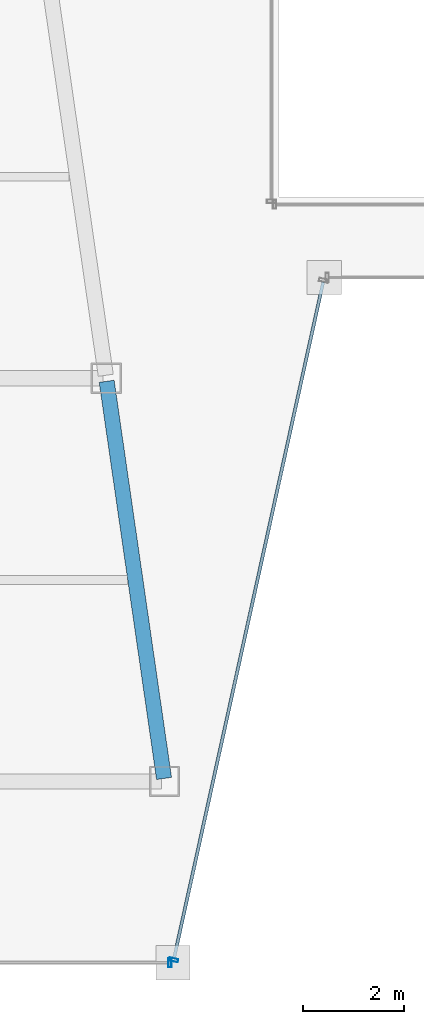
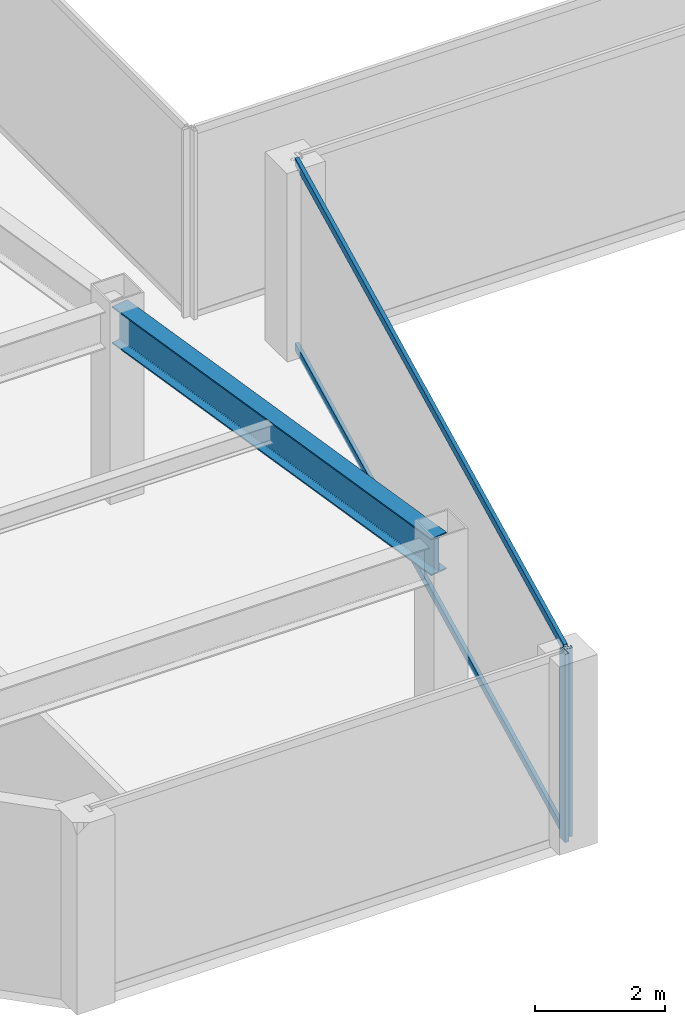
# One storey, part 5 of 35: 4 members, 1 beam, 2 elements without a shape of their own.
"""IFC4 building model written with IfcOpenShell, lengths in metres."""

import ifcopenshell
import ifcopenshell.guid

model = None  # the IFC model being written
_history = None  # IfcOwnerHistory: only IFC2X3 demands one
_inside = {}  # id of a spatial element -> (the spatial element, [elements in it])
_under = {}  # id of a project, library or spatial element -> (it, [spatial elements below it])
_declared = {}  # id of a project -> (the project, [libraries it declares])
_typed = {}  # id of a type object -> (the type object, [elements of that type])
_made_of = {}  # id of a material, layer set ... -> (it, [elements and type objects made of it])


def new_model(schema):
    """Start an empty IFC model of exactly this schema.

    Asked for "IFC4X3", IfcOpenShell would pick the latest addendum, in which some entities
    have other attributes; the version numbers below select the first issue.
    IFC2X3 requires an IfcOwnerHistory on every rooted entity: one is made here for all.
    """
    global model, _history
    if schema == "IFC4X3":
        model = ifcopenshell.file(schema_version=(4, 3, 0, 0))
    else:
        model = ifcopenshell.file(schema=schema)
    _inside.clear()
    _under.clear()
    _declared.clear()
    _typed.clear()
    _made_of.clear()
    _history = None
    if model.schema == "IFC2X3":
        org = make("IfcOrganization", Name="unknown")
        user = make(
            "IfcPersonAndOrganization",
            ThePerson=make("IfcPerson", FamilyName="unknown"),
            TheOrganization=org,
        )
        app = make(
            "IfcApplication",
            ApplicationDeveloper=org,
            Version="unknown",
            ApplicationFullName="unknown",
            ApplicationIdentifier="unknown",
        )
        _history = make(
            "IfcOwnerHistory",
            OwningUser=user,
            OwningApplication=app,
            ChangeAction="ADDED",
            CreationDate=0,
        )
    return model


def make(cls, **values):
    """One entity of the class cls with the attributes given. An attribute that is None is left unset."""
    return model.create_entity(
        cls, **{name: value for name, value in values.items() if value is not None}
    )


def rooted(cls, **values):
    """An entity with a GlobalId (a new one), such as an element, a storey or a relation."""
    return make(cls, GlobalId=ifcopenshell.guid.new(), OwnerHistory=_history, **values)


def si_unit(unit_type, name, prefix=None):
    """IfcSIUnit, for example si_unit("LENGTHUNIT", "METRE", prefix="MILLI")."""
    return make("IfcSIUnit", UnitType=unit_type, Prefix=prefix, Name=name)


def assignment(units):
    """IfcUnitAssignment: the units of a project."""
    return None if units is None else make("IfcUnitAssignment", Units=units)


def point(xyz):
    """IfcCartesianPoint."""
    return None if xyz is None else make("IfcCartesianPoint", Coordinates=xyz)


def direction(xyz):
    """IfcDirection."""
    return None if xyz is None else make("IfcDirection", DirectionRatios=xyz)


def frame(location, z_axis=None, x_axis=None):
    """IfcAxis2Placement3D, a coordinate frame: its origin and axes. An axis left out is left unset."""
    return make(
        "IfcAxis2Placement3D",
        Location=point(location),
        Axis=direction(z_axis),
        RefDirection=direction(x_axis),
    )


def frame_2d(location, x_axis=None):
    """IfcAxis2Placement2D, a coordinate frame in the plane: its origin and x axis."""
    return make(
        "IfcAxis2Placement2D", Location=point(location), RefDirection=direction(x_axis)
    )


def origin():
    """The frame at (0, 0, 0) with its axes left unset."""
    return frame((0.0, 0.0, 0.0))


def origin_2d():
    """The frame at (0, 0) in the plane with its x axis left unset."""
    return frame_2d((0.0, 0.0))


def place(relative_to, where):
    """IfcLocalPlacement: puts the frame where relative to a parent placement (None: the world)."""
    return make(
        "IfcLocalPlacement", PlacementRelTo=relative_to, RelativePlacement=where
    )


def context(
    kind, dimensions, precision=None, world=None, true_north=None, identifier=None
):
    """IfcGeometricRepresentationContext, for example the 3D "Model" context."""
    return make(
        "IfcGeometricRepresentationContext",
        ContextIdentifier=identifier,
        ContextType=kind,
        CoordinateSpaceDimension=dimensions,
        Precision=precision,
        WorldCoordinateSystem=world,
        TrueNorth=true_north,
    )


def subcontext(parent, identifier, kind, view, scale=None):
    """IfcGeometricRepresentationSubContext, for example "Body" below "Model"."""
    return make(
        "IfcGeometricRepresentationSubContext",
        ContextIdentifier=identifier,
        ContextType=kind,
        ParentContext=parent,
        TargetScale=scale,
        TargetView=view,
    )


def project(units=None, contexts=None):
    """IfcProject with its units and contexts."""
    return rooted(
        "IfcProject",
        Name="project",
        RepresentationContexts=contexts,
        UnitsInContext=assignment(units),
    )


def spatial(cls, under=None, at=None, **own):
    """A site, building, storey or space (cls), placed at a placement, below another one or the project."""
    s = rooted(cls, ObjectPlacement=at, **own)
    if under is not None:
        _under.setdefault(under.id(), (under, []))[1].append(s)
    return s


def profile(cls, at=None, kind="AREA", **sizes):
    """A parametric profile (cls). Its sizes go by their IFC names, for example OverallWidth=200.0."""
    return make(cls, ProfileType=kind, Position=at, **sizes)


def hollow_rectangle(**sizes):
    """IfcRectangleHollowProfileDef."""
    return profile("IfcRectangleHollowProfileDef", **sizes)


def i_section(**sizes):
    """IfcIShapeProfileDef."""
    return profile("IfcIShapeProfileDef", **sizes)


def extrude(swept, where, along, depth):
    """IfcExtrudedAreaSolid: the profile swept, set in the frame where, extruded along a direction by depth."""
    return make(
        "IfcExtrudedAreaSolid",
        SweptArea=swept,
        Position=where,
        ExtrudedDirection=direction(along),
        Depth=depth,
    )


def shape(context_of_items, identifier, shape_type, items):
    """IfcShapeRepresentation: the items that make up one representation, for example the "Body"."""
    return make(
        "IfcShapeRepresentation",
        ContextOfItems=context_of_items,
        RepresentationIdentifier=identifier,
        RepresentationType=shape_type,
        Items=items,
    )


def material(Name=None, Category=None):
    """IfcMaterial."""
    return make("IfcMaterial", Name=Name, Category=Category)


def material_profile(
    of_material, cross_section, Name=None, Category=None, Priority=None
):
    """IfcMaterialProfile: a cross section and its material."""
    return make(
        "IfcMaterialProfile",
        Name=Name,
        Material=of_material,
        Profile=cross_section,
        Priority=Priority,
        Category=Category,
    )


def profile_set(profiles, Name=None, composite=None):
    """IfcMaterialProfileSet."""
    return make(
        "IfcMaterialProfileSet",
        Name=Name,
        MaterialProfiles=profiles,
        CompositeProfile=composite,
    )


def made_of(thing, what):
    """Note that an element or type object is made of a material, layer set ...; save() writes the relation."""
    if what is not None:
        _made_of.setdefault(what.id(), (what, []))[1].append(thing)
    return thing


def type_object(cls, material=None, **own):
    """A type object (cls), such as IfcWallType, which elements share."""
    return made_of(rooted(cls, **own), material)


def element(
    cls,
    number,
    at=None,
    inside=None,
    cuts=None,
    type_object=None,
    material=None,
    context=None,
    identifier="Body",
    shape_type=None,
    held_by="IfcProductDefinitionShape",
    body=None,
    shapes=None,
    **own,
):
    """One element of the class cls, such as IfcWall. Its Tag is "e" and its number.

    at: its placement. inside: the storey or other place that contains it. cuts: it is an
    opening in that element (IfcRelVoidsElement). A single representation is given by context,
    identifier, shape_type and body (its items); several are given by shapes. held_by: the class
    of the entity that holds the representations. save() writes the other relations.
    """
    e = rooted(cls, Tag="e%d" % number, ObjectPlacement=at, **own)
    if body is not None:
        shapes = [shape(context, identifier, shape_type, body)]
    if shapes is not None:
        e.Representation = make(held_by, Representations=shapes)
    if inside is not None:
        _inside.setdefault(inside.id(), (inside, []))[1].append(e)
    if cuts is not None:
        rooted(
            "IfcRelVoidsElement", RelatingBuildingElement=cuts, RelatedOpeningElement=e
        )
    if type_object is not None:
        _typed.setdefault(type_object.id(), (type_object, []))[1].append(e)
    return made_of(e, material)


def aggregate(whole, parts):
    """IfcRelAggregates: a whole, such as a stair, and the parts it consists of."""
    return rooted("IfcRelAggregates", RelatingObject=whole, RelatedObjects=parts)


def save(model, path):
    """Write the relations noted so far, then the file.

    IfcRelAggregates (storeys below a building ...), IfcRelContainedInSpatialStructure (elements
    in a storey), IfcRelDefinesByType, IfcRelAssociatesMaterial and IfcRelDeclares: one each for
    every whole, place, type object, material and project.
    """
    for whole, parts in _under.values():
        aggregate(whole, parts)
    for where, things in _inside.values():
        rooted(
            "IfcRelContainedInSpatialStructure",
            RelatedElements=things,
            RelatingStructure=where,
        )
    for kind, things in _typed.values():
        rooted("IfcRelDefinesByType", RelatedObjects=things, RelatingType=kind)
    for what, things in _made_of.values():
        rooted("IfcRelAssociatesMaterial", RelatedObjects=things, RelatingMaterial=what)
    for by, libraries in _declared.values():
        rooted("IfcRelDeclares", RelatingContext=by, RelatedDefinitions=libraries)
    model.write(path)


model = new_model("IFC4")

# Units and contexts
model_context = context("Model", 3, precision=1e-05, world=origin(), true_north=direction((0.0, 1.0)))
body_context = subcontext(model_context, "Body", "Model", "MODEL_VIEW")
ifc_project = project(units=[si_unit("LENGTHUNIT", "METRE"), si_unit("AREAUNIT", "SQUARE_METRE"), si_unit("VOLUMEUNIT", "CUBIC_METRE"), si_unit("PLANEANGLEUNIT", "RADIAN"), si_unit("MASSUNIT", "GRAM", prefix="KILO")], contexts=[model_context])

# Site, building, storey
site_placement = place(None, origin())
site = spatial("IfcSite", under=ifc_project, at=site_placement, CompositionType="ELEMENT")
building_placement = place(site_placement, origin())
building = spatial("IfcBuilding", under=site, at=building_placement, Name="Saevonmaru Cultural Tower", CompositionType="ELEMENT")
storey_placement = place(building_placement, frame((0.0, 0.0, 175.199951171875)))
storey = spatial("IfcBuildingStorey", under=building, at=storey_placement, Name="L39", CompositionType="ELEMENT", Elevation=175.199951171875)

# Beam
ifc_material_1 = material(Name="Steel SM355", Category="steel")
ifc_material_profile_1 = material_profile(ifc_material_1, i_section(OverallWidth=0.300048828125, OverallDepth=0.699951171875, WebThickness=0.012939453125, FlangeThickness=0.02392578125, FilletRadius=0.02587890625, at=origin_2d()), Name="H-700x300x13x24")
ifc_profile_set_1 = profile_set([ifc_material_profile_1], Name="Steel SM355")
beam_type = type_object("IfcBeamType", Name="BM-G-H700", PredefinedType="BEAM", material=ifc_profile_set_1)
beam_placement = place(storey_placement, frame((21.91943359375, 16.059326171875, 3.199951171875), z_axis=(-0.143022161059, 0.989719486241, 0.0), x_axis=(-0.989719486241, -0.143022161059, 0.0)))
element("IfcBeam", 1, at=beam_placement, inside=storey, type_object=beam_type, Name="L39 West Atrium Girder 1", PredefinedType="BEAM", context=body_context, shape_type="SweptSolid", body=[
    extrude(i_section(OverallWidth=0.300048828125, OverallDepth=0.699951171875, WebThickness=0.012939453125, FlangeThickness=0.02392578125, FilletRadius=0.02587890625, at=origin_2d()), origin(), (0.0, 0.0, 1.0), 7.963134765625),
])

# Curtain wall, member
ifc_material_2 = material(Name="Satin Bronze Anodised Aluminium", Category="aluminium")
curtain_wall_type = type_object("IfcCurtainWallType", Name="CW-TYP-B", PredefinedType="NOTDEFINED", material=ifc_material_2)
curtain_wall_1_placement = place(storey_placement, origin())
curtain_wall_1 = element("IfcCurtainWall", 2, at=curtain_wall_1_placement, inside=storey, type_object=curtain_wall_type, Name="L39 Unitised Curtain Wall E2", PredefinedType="NOTDEFINED")
ifc_material_profile_2 = material_profile(ifc_material_2, hollow_rectangle(XDim=0.06494140625, YDim=0.179931640625, WallThickness=0.00390625, at=origin_2d()), Name="ALU-MULL-180x65x4")
ifc_profile_set_2 = profile_set([ifc_material_profile_2], Name="Satin Bronze Anodised Aluminium")
member_type_1 = type_object("IfcMemberType", Name="ML-CW-180x65", PredefinedType="MULLION", material=ifc_profile_set_2)
member_1_placement = place(storey_placement, frame((22.037841796875, 12.39990234375, 0.0), z_axis=(0.0, 0.0, 1.0), x_axis=(1.0, 0.0, 0.0)))
member_1 = element("IfcMember", 3, at=member_1_placement, type_object=member_type_1, Name="CW-TW-L39-E2 mullion 2", PredefinedType="MULLION", context=body_context, shape_type="SweptSolid", body=[
    extrude(hollow_rectangle(XDim=0.06494140625, YDim=0.179931640625, WallThickness=0.00390625, at=origin_2d()), origin(), (0.0, 0.0, 1.0), 3.550048828125),
])
aggregate(curtain_wall_1, [member_1])

# Curtain wall, members
curtain_wall_2_placement = place(storey_placement, origin())
curtain_wall_2 = element("IfcCurtainWall", 4, at=curtain_wall_2_placement, inside=storey, type_object=curtain_wall_type, Name="L39 Unitised Curtain Wall E3", PredefinedType="NOTDEFINED")
member_2_placement = place(storey_placement, frame((22.110595703125, 12.45849609375, 0.0), z_axis=(0.0, 0.0, 1.0), x_axis=(0.215413319953, 0.976522965212, 0.0)))
member_2 = element("IfcMember", 5, at=member_2_placement, type_object=member_type_1, Name="CW-TW-L39-E3 mullion 1", PredefinedType="MULLION", context=body_context, shape_type="SweptSolid", body=[
    extrude(hollow_rectangle(XDim=0.06494140625, YDim=0.179931640625, WallThickness=0.00390625, at=origin_2d()), origin(), (0.0, 0.0, 1.0), 3.550048828125),
])
ifc_material_profile_3 = material_profile(ifc_material_2, hollow_rectangle(XDim=0.06494140625, YDim=0.14990234375, WallThickness=0.00390625, at=origin_2d()), Name="ALU-TRAN-150x65x4")
ifc_profile_set_3 = profile_set([ifc_material_profile_3], Name="Satin Bronze Anodised Aluminium")
member_type_2 = type_object("IfcMemberType", Name="TR-CW-150x65", PredefinedType="USERDEFINED", material=ifc_profile_set_3)
member_3_placement = place(storey_placement, frame((22.11767578125, 12.490234375, 0.032470703125), z_axis=(0.21541214732, 0.976523223885, 0.0), x_axis=(-0.976523223885, 0.21541214732, 0.0)))
member_3 = element("IfcMember", 6, at=member_3_placement, type_object=member_type_2, Name="CW-TW-L39-E3 transom 1.1", ObjectType="TRANSOM", PredefinedType="USERDEFINED", context=body_context, shape_type="SweptSolid", body=[
    extrude(hollow_rectangle(XDim=0.06494140625, YDim=0.14990234375, WallThickness=0.00390625, at=origin_2d()), origin(), (0.0, 0.0, 1.0), 13.741943359375),
])
member_4_placement = place(storey_placement, frame((22.11767578125, 12.490234375, 3.517578125), z_axis=(0.21541214732, 0.976523223885, 0.0), x_axis=(-0.976523223885, 0.21541214732, 0.0)))
member_4 = element("IfcMember", 7, at=member_4_placement, type_object=member_type_2, Name="CW-TW-L39-E3 transom 1.2", ObjectType="TRANSOM", PredefinedType="USERDEFINED", context=body_context, shape_type="SweptSolid", body=[
    extrude(hollow_rectangle(XDim=0.06494140625, YDim=0.14990234375, WallThickness=0.00390625, at=origin_2d()), origin(), (0.0, 0.0, 1.0), 13.741943359375),
])
aggregate(curtain_wall_2, [member_2, member_3, member_4])

save(model, "model.ifc")
